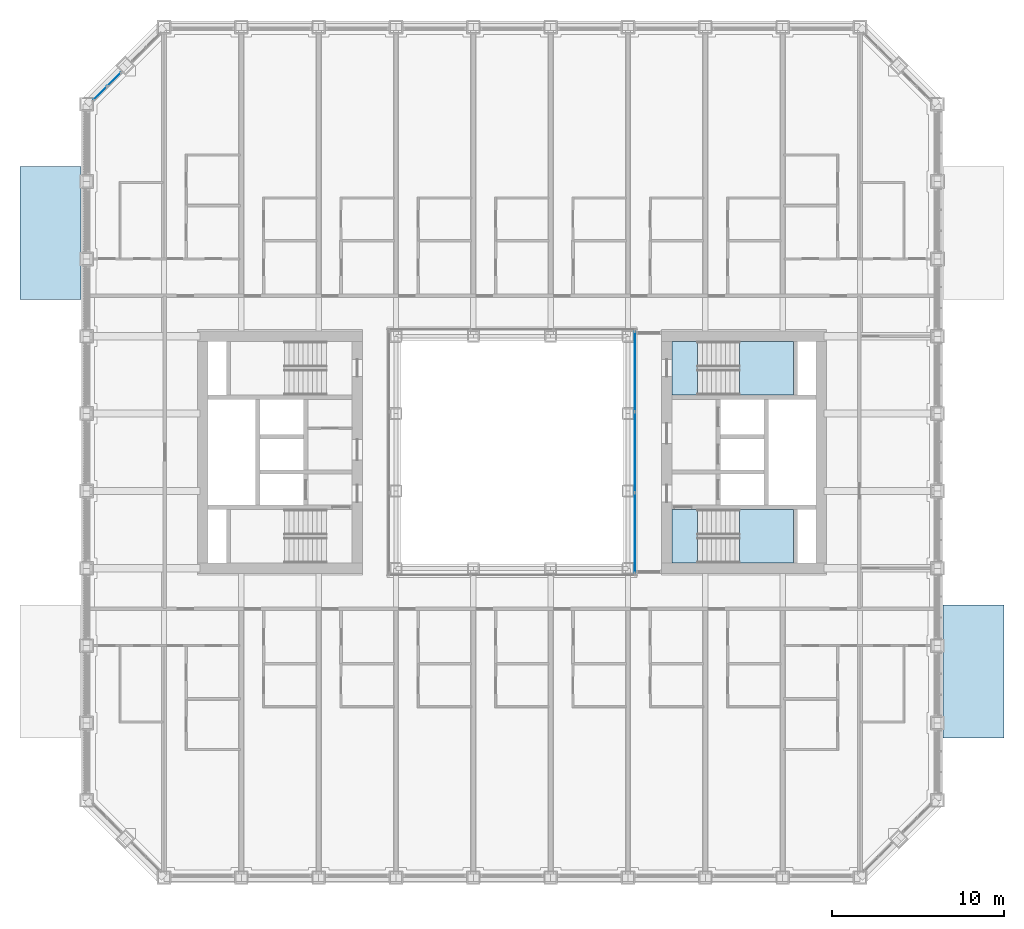
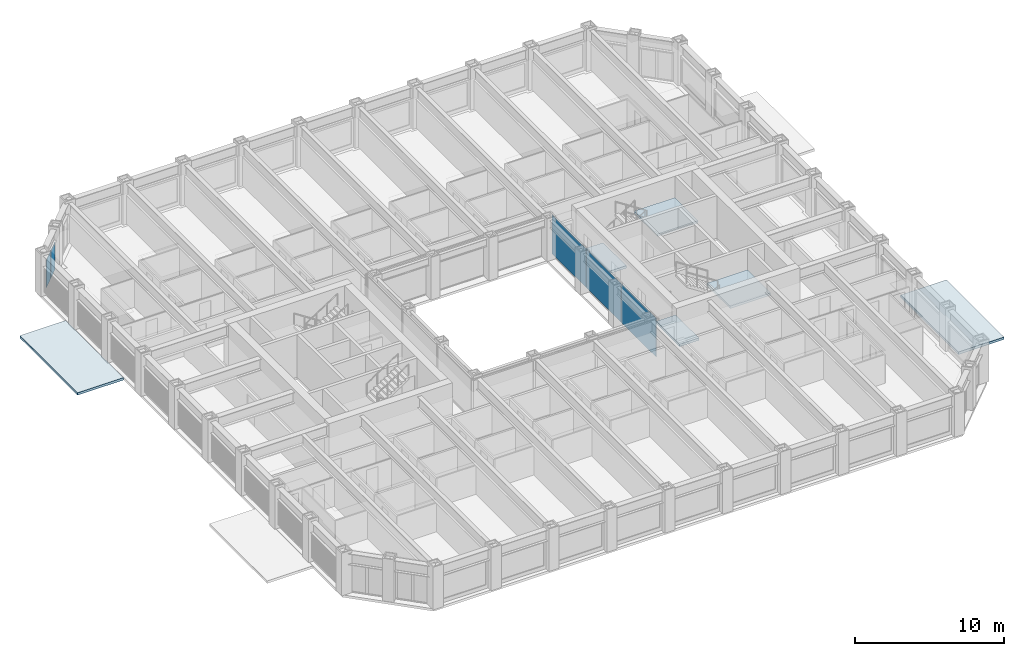
# One storey, part 10 of 24: 6 slabs, 5 plates, 4 elements without a shape of their own.
"""IFC4 building model written with IfcOpenShell, lengths in metres."""

from ifc_helpers import new_model, si_unit, direction, frame, origin, origin_2d, place, context, subcontext, project, spatial, polyline, rectangle, outline, extrude, material, layer, layer_set, type_object, element, aggregate, save


model = new_model("IFC4")

# Units and contexts
model_context = context("Model", 3, precision=1e-05, world=origin(), true_north=direction((0.0, 1.0)))
body_context = subcontext(model_context, "Body", "Model", "MODEL_VIEW")
ifc_project = project(units=[si_unit("LENGTHUNIT", "METRE"), si_unit("AREAUNIT", "SQUARE_METRE"), si_unit("VOLUMEUNIT", "CUBIC_METRE"), si_unit("PLANEANGLEUNIT", "RADIAN"), si_unit("MASSUNIT", "GRAM", prefix="KILO")], contexts=[model_context])

# Site, building, storey
site_placement = place(None, origin())
site = spatial("IfcSite", under=ifc_project, at=site_placement, CompositionType="ELEMENT")
building_placement = place(site_placement, origin())
building = spatial("IfcBuilding", under=site, at=building_placement, Name="Msasa Ring Tower", CompositionType="ELEMENT")
storey_placement = place(building_placement, frame((0.0, 0.0, 26.5)))
storey = spatial("IfcBuildingStorey", under=building, at=storey_placement, Name="L05", CompositionType="ELEMENT", Elevation=26.5)

# Curtain wall, plates
ifc_material_1 = material(Name="Aluminium curtain wall with clear glass", Category="aluminium")
curtain_wall_type_1 = type_object("IfcCurtainWallType", Name="CW-C CHAMFER CORNER CURTAIN WALL", PredefinedType="NOTDEFINED", material=ifc_material_1)
curtain_wall_1_placement = place(storey_placement, origin())
curtain_wall_1 = element("IfcCurtainWall", 1, at=curtain_wall_1_placement, inside=storey, type_object=curtain_wall_type_1, Name="Chamfer corner curtain wall NW L05", PredefinedType="NOTDEFINED")
ifc_material_2 = material(Name="Clear laminated insulating glass unit", Category="glass")
ifc_layer_1 = layer(ifc_material_2, 0.031982421875)
ifc_layer_set_1 = layer_set([ifc_layer_1], Name="CW-C GLASS PANEL 32")
plate_type_1 = type_object("IfcPlateType", Name="CW-C GLASS PANEL 32", PredefinedType="CURTAIN_PANEL", material=ifc_layer_set_1)
plate_1_placement = place(storey_placement, frame((-23.146484375, 21.712158203125, 0.06494140625), z_axis=(0.0, 0.0, 1.0), x_axis=(-0.707106781187, -0.707106781187, 0.0)))
plate_1 = element("IfcPlate", 2, at=plate_1_placement, type_object=plate_type_1, Name="CW-C panel 1.1", PredefinedType="CURTAIN_PANEL", context=body_context, shape_type="SweptSolid", body=[
    extrude(rectangle(XDim=1.08837890625, YDim=0.031982421875, at=origin_2d()), origin(), (0.0, 0.0, 1.0), 2.2490234375),
])
plate_2_placement = place(storey_placement, frame((-23.962158203125, 20.896484375, 0.06494140625), z_axis=(0.0, 0.0, 1.0), x_axis=(-0.707106781187, -0.707106781187, 0.0)))
plate_2 = element("IfcPlate", 3, at=plate_2_placement, type_object=plate_type_1, Name="CW-C panel 2.1", PredefinedType="CURTAIN_PANEL", context=body_context, shape_type="SweptSolid", body=[
    extrude(rectangle(XDim=1.08837890625, YDim=0.031982421875, at=origin_2d()), origin(), (0.0, 0.0, 1.0), 2.2490234375),
])
aggregate(curtain_wall_1, [plate_1, plate_2])

ifc_material_3 = material(Name="Aluminium curtain wall with clear glass", Category="aluminium")
curtain_wall_type_2 = type_object("IfcCurtainWallType", Name="CW-W LIGHT WELL CURTAIN WALL", PredefinedType="NOTDEFINED", material=ifc_material_3)
curtain_wall_2_placement = place(storey_placement, origin())
curtain_wall_2 = element("IfcCurtainWall", 4, at=curtain_wall_2_placement, inside=storey, type_object=curtain_wall_type_2, Name="Light well curtain wall E L05", PredefinedType="NOTDEFINED")
ifc_material_4 = material(Name="Clear laminated insulating glass unit", Category="glass")
ifc_layer_2 = layer(ifc_material_4, 0.028076171875)
ifc_layer_set_2 = layer_set([ifc_layer_2], Name="CW-W GLASS PANEL 28")
plate_type_2 = type_object("IfcPlateType", Name="CW-W GLASS PANEL 28", PredefinedType="CURTAIN_PANEL", material=ifc_layer_set_2)
plate_3_placement = place(storey_placement, frame((7.14990234375, -4.6982421875, 0.06005859375), z_axis=(0.0, 0.0, 1.0), x_axis=(0.0, 1.0, 0.0)))
plate_3 = element("IfcPlate", 5, at=plate_3_placement, type_object=plate_type_2, Name="CW-W panel 1.1", PredefinedType="CURTAIN_PANEL", context=body_context, shape_type="SweptSolid", body=[
    extrude(rectangle(XDim=4.623291015625, YDim=0.028076171875, at=origin_2d()), origin(), (0.0, 0.0, 1.0), 3.179931640625),
])
plate_4_placement = place(storey_placement, frame((7.14990234375, 0.0, 0.06005859375), z_axis=(0.0, 0.0, 1.0), x_axis=(0.0, 1.0, 0.0)))
plate_4 = element("IfcPlate", 6, at=plate_4_placement, type_object=plate_type_2, Name="CW-W panel 2.1", PredefinedType="CURTAIN_PANEL", context=body_context, shape_type="SweptSolid", body=[
    extrude(rectangle(XDim=4.6533203125, YDim=0.028076171875, at=origin_2d()), origin(), (0.0, 0.0, 1.0), 3.179931640625),
])
plate_5_placement = place(storey_placement, frame((7.14990234375, 4.6982421875, 0.06005859375), z_axis=(0.0, 0.0, 1.0), x_axis=(0.0, 1.0, 0.0)))
plate_5 = element("IfcPlate", 7, at=plate_5_placement, type_object=plate_type_2, Name="CW-W panel 3.1", PredefinedType="CURTAIN_PANEL", context=body_context, shape_type="SweptSolid", body=[
    extrude(rectangle(XDim=4.623291015625, YDim=0.028076171875, at=origin_2d()), origin(), (0.0, 0.0, 1.0), 3.179931640625),
])
aggregate(curtain_wall_2, [plate_3, plate_4, plate_5])

# Stair, slabs
ifc_material_5 = material(Name="Concrete C40/50", Category="concrete")
stair_type = type_object("IfcStairType", Name="STC CORE STAIR 20 RISERS 175", PredefinedType="HALF_TURN_STAIR", material=ifc_material_5)
stair_1_placement = place(storey_placement, origin())
stair_1 = element("IfcStair", 8, at=stair_1_placement, inside=storey, type_object=stair_type, Name="Core stair SEA L05", PredefinedType="HALF_TURN_STAIR")
ifc_material_6 = material(Name="Concrete C40/50", Category="concrete")
ifc_layer_3 = layer(ifc_material_6, 0.199951171875)
ifc_layer_set_3 = layer_set([ifc_layer_3], Name="LD1 CORE STAIR LANDING 200")
slab_type_1 = type_object("IfcSlabType", Name="LD1 CORE STAIR LANDING 200", PredefinedType="LANDING", material=ifc_layer_set_3)
slab_1_placement = place(storey_placement, frame((0.0, 0.0, -0.199951171875)))
slab_1 = element("IfcSlab", 9, at=slab_1_placement, type_object=slab_type_1, Name="SEA landing 1", PredefinedType="LANDING", context=body_context, shape_type="SweptSolid", body=[
    extrude(outline(polyline([(9.300048828125, -6.449951171875), (10.800048828125, -6.449951171875), (10.800048828125, -3.324951171875), (9.300048828125, -3.324951171875), (9.300048828125, -6.449951171875)])), origin(), (0.0, 0.0, 1.0), 0.199951171875),
])
slab_2_placement = place(storey_placement, frame((0.0, 0.0, 1.550048828125)))
slab_2 = element("IfcSlab", 10, at=slab_2_placement, type_object=slab_type_1, Name="SEA landing 2", PredefinedType="LANDING", context=body_context, shape_type="SweptSolid", body=[
    extrude(outline(polyline([(13.22998046875, -6.449951171875), (16.375, -6.449951171875), (16.375, -3.324951171875), (13.22998046875, -3.324951171875), (13.22998046875, -6.449951171875)])), origin(), (0.0, 0.0, 1.0), 0.199951171875),
])
aggregate(stair_1, [slab_1, slab_2])

stair_2_placement = place(storey_placement, origin())
stair_2 = element("IfcStair", 11, at=stair_2_placement, inside=storey, type_object=stair_type, Name="Core stair SEB L05", PredefinedType="HALF_TURN_STAIR")
slab_3_placement = place(storey_placement, frame((0.0, 0.0, -0.199951171875)))
slab_3 = element("IfcSlab", 12, at=slab_3_placement, type_object=slab_type_1, Name="SEB landing 1", PredefinedType="LANDING", context=body_context, shape_type="SweptSolid", body=[
    extrude(outline(polyline([(9.300048828125, 3.324951171875), (10.800048828125, 3.324951171875), (10.800048828125, 6.449951171875), (9.300048828125, 6.449951171875), (9.300048828125, 3.324951171875)])), origin(), (0.0, 0.0, 1.0), 0.199951171875),
])
slab_4_placement = place(storey_placement, frame((0.0, 0.0, 1.550048828125)))
slab_4 = element("IfcSlab", 13, at=slab_4_placement, type_object=slab_type_1, Name="SEB landing 2", PredefinedType="LANDING", context=body_context, shape_type="SweptSolid", body=[
    extrude(outline(polyline([(13.22998046875, 3.324951171875), (16.375, 3.324951171875), (16.375, 6.449951171875), (13.22998046875, 6.449951171875), (13.22998046875, 3.324951171875)])), origin(), (0.0, 0.0, 1.0), 0.199951171875),
])
aggregate(stair_2, [slab_3, slab_4])

# Slabs
ifc_material_7 = material(Name="Concrete C40/50", Category="concrete")
ifc_layer_4 = layer(ifc_material_7, 0.199951171875)
ifc_layer_set_4 = layer_set([ifc_layer_4], Name="R2 STAIR HEAD-HOUSE ROOF 200")
slab_type_2 = type_object("IfcSlabType", Name="R2 STAIR HEAD-HOUSE ROOF 200", PredefinedType="ROOF", material=ifc_layer_set_4)
slab_5_placement = place(storey_placement, frame((0.0, 0.0, -0.199951171875)))
element("IfcSlab", 14, at=slab_5_placement, inside=storey, type_object=slab_type_2, Name="Stair head-house roof PES", PredefinedType="ROOF", context=body_context, shape_type="SweptSolid", body=[
    extrude(outline(polyline([(25.074951171875, -16.625), (28.625, -16.625), (28.625, -8.875), (25.074951171875, -8.875), (25.074951171875, -16.625)])), origin(), (0.0, 0.0, 1.0), 0.199951171875),
])
slab_6_placement = place(storey_placement, frame((0.0, 0.0, -0.199951171875)))
element("IfcSlab", 15, at=slab_6_placement, inside=storey, type_object=slab_type_2, Name="Stair head-house roof PWN", PredefinedType="ROOF", context=body_context, shape_type="SweptSolid", body=[
    extrude(outline(polyline([(-28.625, 8.875), (-25.074951171875, 8.875), (-25.074951171875, 16.625), (-28.625, 16.625), (-28.625, 8.875)])), origin(), (0.0, 0.0, 1.0), 0.199951171875),
])

save(model, "model.ifc")
